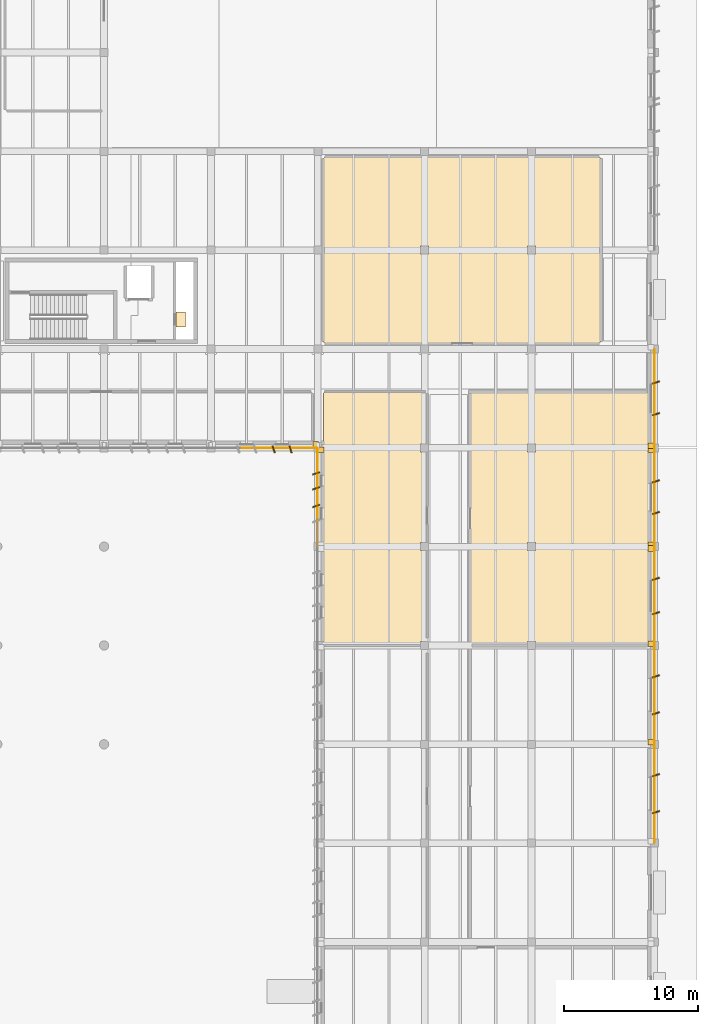
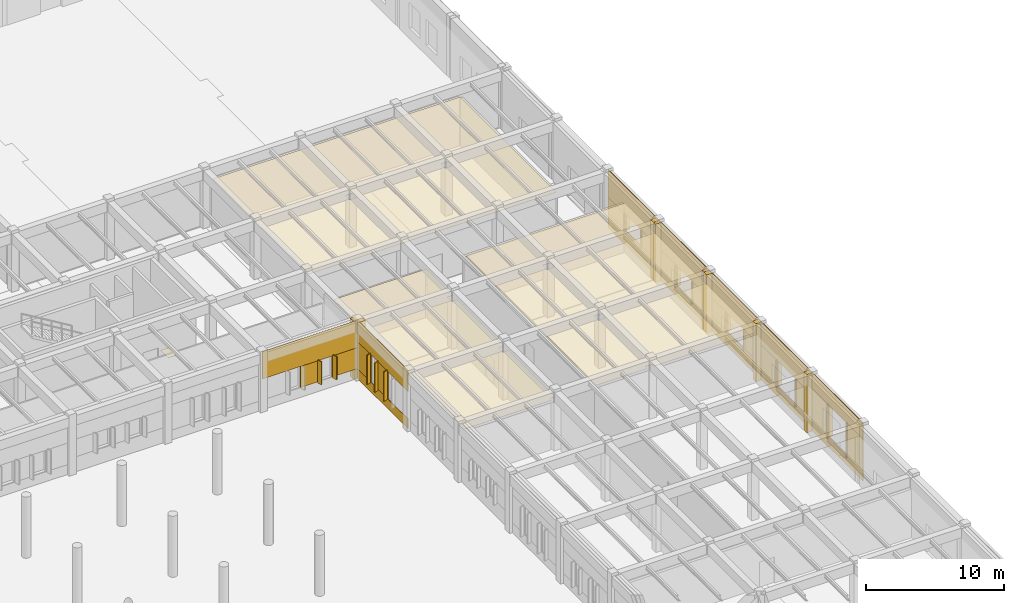
# One storey, part 54 of 56: 54 coverings.
"""IFC4 building model written with IfcOpenShell, lengths in metres."""

from ifc_helpers import new_model, si_unit, direction, frame, frame_2d, origin, origin_2d, place, context, subcontext, project, spatial, polyline, rectangle, outline, extrude, material, layer, layer_set, type_object, element, save


model = new_model("IFC4")

# Units and contexts
model_context = context("Model", 3, precision=1e-05, world=origin(), true_north=direction((0.0, 1.0)))
body_context = subcontext(model_context, "Body", "Model", "MODEL_VIEW")
ifc_project = project(units=[si_unit("LENGTHUNIT", "METRE"), si_unit("AREAUNIT", "SQUARE_METRE"), si_unit("VOLUMEUNIT", "CUBIC_METRE"), si_unit("PLANEANGLEUNIT", "RADIAN"), si_unit("MASSUNIT", "GRAM", prefix="KILO")], contexts=[model_context])

# Site, building, storey
site_placement = place(None, origin())
site = spatial("IfcSite", under=ifc_project, at=site_placement, CompositionType="ELEMENT")
building_placement = place(site_placement, origin())
building = spatial("IfcBuilding", under=site, at=building_placement, Name="Valkorina Park Police Headquarters", CompositionType="ELEMENT")
storey_placement = place(building_placement, origin())
storey = spatial("IfcBuildingStorey", under=building, at=storey_placement, Name="L01", CompositionType="ELEMENT", Elevation=0.0)

# Coverings
ifc_material_1 = material(Name="Acoustic mineral board")
ifc_layer_1 = layer(ifc_material_1, 0.02490234375)
ifc_layer_set_1 = layer_set([ifc_layer_1], Name="Acoustic mineral board")
covering_type_1 = type_object("IfcCoveringType", Name="COV-CEILING-ACOUST", PredefinedType="CEILING", material=ifc_layer_set_1)
covering_1_placement = place(storey_placement, frame((0.0, 0.0, 4.264892578125)))
element("IfcCovering", 1, at=covering_1_placement, inside=storey, type_object=covering_type_1, Name="Chain-of-Custody Evidence Intake Lab Acoustic Suspended Ceiling", PredefinedType="CEILING", context=body_context, shape_type="SweptSolid", body=[
    extrude(outline(polyline([(144.95849609375, 59.5244140625), (144.959716796875, 59.5322265625), (144.9599609375, 59.5400390625), (144.9599609375, 63.280029296875), (144.959716796875, 63.287841796875), (144.95849609375, 63.295654296875), (144.95654296875, 63.30322265625), (144.953857421875, 63.310546875), (144.95068359375, 63.317626953125), (144.946533203125, 63.324462890625), (144.94189453125, 63.330810546875), (144.9365234375, 63.336669921875), (144.930908203125, 63.341796875), (144.92431640625, 63.346435546875), (144.917724609375, 63.3505859375), (144.91064453125, 63.35400390625), (144.9033203125, 63.356689453125), (144.8955078125, 63.3583984375), (144.8876953125, 63.359619140625), (144.8798828125, 63.360107421875), (137.320068359375, 63.360107421875), (137.312255859375, 63.359619140625), (137.304443359375, 63.3583984375), (137.296875, 63.356689453125), (137.289306640625, 63.35400390625), (137.2822265625, 63.3505859375), (137.275634765625, 63.346435546875), (137.269287109375, 63.341796875), (137.263427734375, 63.336669921875), (137.25830078125, 63.330810546875), (137.25341796875, 63.324462890625), (137.24951171875, 63.317626953125), (137.24609375, 63.310546875), (137.243408203125, 63.30322265625), (137.241455078125, 63.295654296875), (137.240478515625, 63.287841796875), (137.239990234375, 63.280029296875), (137.239990234375, 44.52001953125), (137.240478515625, 44.51220703125), (137.241455078125, 44.50439453125), (137.243408203125, 44.496826171875), (137.24609375, 44.489501953125), (137.24951171875, 44.482421875), (137.25341796875, 44.4755859375), (137.25830078125, 44.46923828125), (137.263427734375, 44.46337890625), (137.269287109375, 44.458251953125), (137.275634765625, 44.45361328125), (137.2822265625, 44.449462890625), (137.289306640625, 44.446044921875), (137.296875, 44.443359375), (137.304443359375, 44.44140625), (137.312255859375, 44.4404296875), (137.320068359375, 44.43994140625), (144.4599609375, 44.43994140625), (144.4677734375, 44.4404296875), (144.4755859375, 44.44140625), (144.483154296875, 44.443359375), (144.490478515625, 44.446044921875), (144.497802734375, 44.449462890625), (144.5, 44.45068359375), (144.5, 44.699951171875), (144.94921875, 44.699951171875), (144.95068359375, 44.702392578125), (144.953857421875, 44.70947265625), (144.95654296875, 44.716796875), (144.95849609375, 44.724365234375), (144.959716796875, 44.732177734375), (144.9599609375, 44.739990234375), (144.9599609375, 51.4599609375), (144.959716796875, 51.4677734375), (144.95849609375, 51.4755859375), (144.95654296875, 51.483154296875), (144.953857421875, 51.490478515625), (144.95068359375, 51.497802734375), (144.94921875, 51.5), (144.5, 51.5), (144.5, 52.10009765625), (144.94921875, 52.10009765625), (144.95068359375, 52.102294921875), (144.953857421875, 52.109375), (144.95654296875, 52.11669921875), (144.95849609375, 52.12451171875), (144.959716796875, 52.132080078125), (144.9599609375, 52.139892578125), (144.9599609375, 58.860107421875), (144.959716796875, 58.867919921875), (144.95849609375, 58.87548828125), (144.95654296875, 58.88330078125), (144.953857421875, 58.890625), (144.95068359375, 58.897705078125), (144.94921875, 58.89990234375), (144.5, 58.89990234375), (144.5, 59.5), (144.94921875, 59.5), (144.95068359375, 59.502197265625), (144.953857421875, 59.509521484375), (144.95654296875, 59.516845703125), (144.95849609375, 59.5244140625)])), origin(), (0.0, 0.0, 1.0), 0.025146484375),
])
covering_2_placement = place(storey_placement, frame((0.0, 0.0, 4.280029296875)))
element("IfcCovering", 2, at=covering_2_placement, inside=storey, type_object=covering_type_1, Name="Refrigerated Biological Evidence Vault Acoustic Suspended Ceiling", PredefinedType="CEILING", context=body_context, shape_type="SweptSolid", body=[
    extrude(outline(polyline([(161.55859375, 44.50439453125), (161.5595703125, 44.51220703125), (161.56005859375, 44.52001953125), (161.56005859375, 63.280029296875), (161.5595703125, 63.287841796875), (161.55859375, 63.295654296875), (161.556640625, 63.30322265625), (161.553955078125, 63.310546875), (161.550537109375, 63.317626953125), (161.54638671875, 63.324462890625), (161.541748046875, 63.330810546875), (161.53662109375, 63.336669921875), (161.53076171875, 63.341796875), (161.5244140625, 63.346435546875), (161.517578125, 63.3505859375), (161.510498046875, 63.35400390625), (161.503173828125, 63.356689453125), (161.49560546875, 63.3583984375), (161.48779296875, 63.359619140625), (161.47998046875, 63.360107421875), (148.320068359375, 63.360107421875), (148.312255859375, 63.359619140625), (148.304443359375, 63.3583984375), (148.296875, 63.356689453125), (148.289306640625, 63.35400390625), (148.2822265625, 63.3505859375), (148.275634765625, 63.346435546875), (148.269287109375, 63.341796875), (148.263427734375, 63.336669921875), (148.25830078125, 63.330810546875), (148.25341796875, 63.324462890625), (148.24951171875, 63.317626953125), (148.24609375, 63.310546875), (148.243408203125, 63.30322265625), (148.241455078125, 63.295654296875), (148.240478515625, 63.287841796875), (148.239990234375, 63.280029296875), (148.239990234375, 44.52001953125), (148.240478515625, 44.51220703125), (148.241455078125, 44.50439453125), (148.243408203125, 44.496826171875), (148.24609375, 44.489501953125), (148.24951171875, 44.482421875), (148.25341796875, 44.4755859375), (148.25830078125, 44.46923828125), (148.263427734375, 44.46337890625), (148.269287109375, 44.458251953125), (148.275634765625, 44.45361328125), (148.2822265625, 44.449462890625), (148.289306640625, 44.446044921875), (148.296875, 44.443359375), (148.304443359375, 44.44140625), (148.312255859375, 44.4404296875), (148.320068359375, 44.43994140625), (152.4599609375, 44.43994140625), (152.4677734375, 44.4404296875), (152.4755859375, 44.44140625), (152.483154296875, 44.443359375), (152.490478515625, 44.446044921875), (152.497802734375, 44.449462890625), (152.5, 44.45068359375), (152.5, 44.699951171875), (153.10009765625, 44.699951171875), (153.10009765625, 44.45068359375), (153.102294921875, 44.449462890625), (153.109375, 44.446044921875), (153.11669921875, 44.443359375), (153.12451171875, 44.44140625), (153.132080078125, 44.4404296875), (153.139892578125, 44.43994140625), (161.47998046875, 44.43994140625), (161.48779296875, 44.4404296875), (161.49560546875, 44.44140625), (161.503173828125, 44.443359375), (161.510498046875, 44.446044921875), (161.517578125, 44.449462890625), (161.5244140625, 44.45361328125), (161.53076171875, 44.458251953125), (161.53662109375, 44.46337890625), (161.541748046875, 44.46923828125), (161.54638671875, 44.4755859375), (161.550537109375, 44.482421875), (161.553955078125, 44.489501953125), (161.556640625, 44.496826171875), (161.55859375, 44.50439453125)]), holes=[polyline([(153.10009765625, 51.5), (152.5, 51.5), (152.5, 52.10009765625), (153.10009765625, 52.10009765625), (153.10009765625, 51.5)]), polyline([(153.10009765625, 58.89990234375), (152.5, 58.89990234375), (152.5, 59.5), (153.10009765625, 59.5), (153.10009765625, 58.89990234375)])]), origin(), (0.0, 0.0, 1.0), 0.02490234375),
])
covering_3_placement = place(storey_placement, frame((0.0, 0.0, 4.264892578125)))
element("IfcCovering", 3, at=covering_3_placement, inside=storey, type_object=covering_type_1, Name="Vehicle Forensics Examination Bay Acoustic Suspended Ceiling", PredefinedType="CEILING", context=body_context, shape_type="SweptSolid", body=[
    extrude(outline(polyline([(157.95849609375, 67.1044921875), (157.959716796875, 67.1123046875), (157.9599609375, 67.1201171875), (157.9599609375, 80.8798828125), (157.959716796875, 80.8876953125), (157.95849609375, 80.8955078125), (157.95654296875, 80.9033203125), (157.953857421875, 80.91064453125), (157.95068359375, 80.917724609375), (157.946533203125, 80.92431640625), (157.94189453125, 80.930908203125), (157.9365234375, 80.9365234375), (157.930908203125, 80.94189453125), (157.92431640625, 80.946533203125), (157.917724609375, 80.95068359375), (157.91064453125, 80.953857421875), (157.9033203125, 80.95654296875), (157.8955078125, 80.95849609375), (157.8876953125, 80.959716796875), (157.8798828125, 80.9599609375), (137.320068359375, 80.9599609375), (137.312255859375, 80.959716796875), (137.304443359375, 80.95849609375), (137.296875, 80.95654296875), (137.289306640625, 80.953857421875), (137.2822265625, 80.95068359375), (137.275634765625, 80.946533203125), (137.269287109375, 80.94189453125), (137.263427734375, 80.9365234375), (137.25830078125, 80.930908203125), (137.25341796875, 80.92431640625), (137.24951171875, 80.917724609375), (137.24609375, 80.91064453125), (137.243408203125, 80.9033203125), (137.241455078125, 80.8955078125), (137.240478515625, 80.8876953125), (137.239990234375, 80.8798828125), (137.239990234375, 67.1201171875), (137.240478515625, 67.1123046875), (137.241455078125, 67.1044921875), (137.243408203125, 67.0966796875), (137.24609375, 67.08935546875), (137.24951171875, 67.082275390625), (137.25341796875, 67.07568359375), (137.25830078125, 67.069091796875), (137.263427734375, 67.0634765625), (137.269287109375, 67.05810546875), (137.275634765625, 67.053466796875), (137.2822265625, 67.04931640625), (137.289306640625, 67.046142578125), (137.296875, 67.04345703125), (137.304443359375, 67.04150390625), (137.312255859375, 67.040283203125), (137.320068359375, 67.0400390625), (157.8798828125, 67.0400390625), (157.8876953125, 67.040283203125), (157.8955078125, 67.04150390625), (157.9033203125, 67.04345703125), (157.91064453125, 67.046142578125), (157.917724609375, 67.04931640625), (157.92431640625, 67.053466796875), (157.930908203125, 67.05810546875), (157.9365234375, 67.0634765625), (157.94189453125, 67.069091796875), (157.946533203125, 67.07568359375), (157.95068359375, 67.082275390625), (157.953857421875, 67.08935546875), (157.95654296875, 67.0966796875), (157.95849609375, 67.1044921875)]), holes=[polyline([(153.10009765625, 73.699951171875), (152.5, 73.699951171875), (152.5, 74.300048828125), (153.10009765625, 74.300048828125), (153.10009765625, 73.699951171875)]), polyline([(145.10009765625, 73.699951171875), (144.5, 73.699951171875), (144.5, 74.300048828125), (145.10009765625, 74.300048828125), (145.10009765625, 73.699951171875)])]), origin(), (0.0, 0.0, 1.0), 0.025146484375),
])
ifc_material_2 = material(Name="Precast concrete C40/50", Category="concrete")
ifc_layer_2 = layer(ifc_material_2, 0.044921875)
ifc_layer_set_2 = layer_set([ifc_layer_2], Name="Precast concrete C40/50")
covering_type_2 = type_object("IfcCoveringType", Name="COV-CLAD-DOLOMITE", PredefinedType="CLADDING", material=ifc_layer_set_2)
covering_4_placement = place(storey_placement, frame((161.75, 59.340087890625, 0.0), z_axis=(0.0, 0.0, 1.0), x_axis=(0.0, 1.0, 0.0)))
element("IfcCovering", 4, at=covering_4_placement, inside=storey, type_object=covering_type_2, Name="L01 Exterior Joint Closure Pilaster B 0513", PredefinedType="CLADDING", context=body_context, shape_type="SweptSolid", body=[
    extrude(rectangle(XDim=0.419921875, YDim=0.449951171875, at=origin_2d()), origin(), (0.0, 0.0, 1.0), 5.155029296875),
])
for number, where, z_axis, x_axis, name in (
    (5, (162.1201171875, 64.0849609375, 1.22998046875), (0.0, 0.0, 1.0), (0.948323655206, 0.317304656405, 0.0), "Slanted 18.5-deg Precast Window Slot Fin 0514"),
    (6, (162.1201171875, 61.715087890625, 1.22998046875), (0.0, 0.0, 1.0), (0.948323655206, 0.317304656405, 0.0), "Slanted 18.5-deg Precast Window Slot Fin 0515"),
):
    element("IfcCovering", number, at=place(storey_placement, frame(where, z_axis=z_axis, x_axis=x_axis)), inside=storey, type_object=covering_type_2, Name=name, PredefinedType="CLADDING", context=body_context, shape_type="SweptSolid", body=[
        extrude(rectangle(XDim=0.5400390625, YDim=0.090087890625, at=origin_2d()), origin(), (0.0, 0.0, 1.0), 1.590087890625),
    ])
covering_5_placement = place(storey_placement, frame((162.014892578125, 66.580078125, 0.0), z_axis=(0.0, 0.0, 1.0), x_axis=(0.0, -1.0, 0.0)))
element("IfcCovering", 7, at=covering_5_placement, inside=storey, type_object=covering_type_2, Name="L01 Calm Concrete Base Sill Spandrel 0516", PredefinedType="CLADDING", context=body_context, shape_type="SweptSolid", body=[
    extrude(rectangle(XDim=7.360107421875, YDim=0.044921875, at=frame_2d((3.68017578125, 0.0))), origin(), (0.0, 0.0, 1.0), 1.320068359375),
])
covering_6_placement = place(storey_placement, frame((162.014892578125, 66.580078125, 2.72998046875), z_axis=(0.0, 0.0, 1.0), x_axis=(0.0, -1.0, 0.0)))
element("IfcCovering", 8, at=covering_6_placement, inside=storey, type_object=covering_type_2, Name="L01 Calm Concrete Base Lintel Spandrel 0517", PredefinedType="CLADDING", context=body_context, shape_type="SweptSolid", body=[
    extrude(rectangle(XDim=7.360107421875, YDim=0.044921875, at=frame_2d((3.68017578125, 0.0))), origin(), (0.0, 0.0, 1.0), 2.425048828125),
])
for number, where, z_axis, x_axis, name in (
    (9, (162.014892578125, 66.580078125, 1.320068359375), (0.0, 0.0, 1.0), (0.0, -1.0, 0.0), "L01 Calm Concrete Base Slot Pier 0518"),
    (10, (162.014892578125, 61.824951171875, 1.320068359375), (0.0, 0.0, 1.0), (0.0, -1.0, 0.0), "L01 Calm Concrete Base Slot Pier 0519"),
):
    element("IfcCovering", number, at=place(storey_placement, frame(where, z_axis=z_axis, x_axis=x_axis)), inside=storey, type_object=covering_type_2, Name=name, PredefinedType="CLADDING", context=body_context, shape_type="SweptSolid", body=[
        extrude(rectangle(XDim=2.60498046875, YDim=0.044921875, at=frame_2d((1.302490234375, 0.0))), origin(), (0.0, 0.0, 1.0), 1.409912109375),
    ])
for number, where, z_axis, x_axis, name in (
    (11, (161.75, 59.06005859375, 0.0), (0.0, 0.0, 1.0), (0.0, 1.0, 0.0), "L01 Exterior Joint Closure Pilaster A 0520"),
    (12, (161.75, 51.93994140625, 0.0), (0.0, 0.0, 1.0), (0.0, 1.0, 0.0), "L01 Exterior Joint Closure Pilaster B 0521"),
):
    element("IfcCovering", number, at=place(storey_placement, frame(where, z_axis=z_axis, x_axis=x_axis)), inside=storey, type_object=covering_type_2, Name=name, PredefinedType="CLADDING", context=body_context, shape_type="SweptSolid", body=[
        extrude(rectangle(XDim=0.419921875, YDim=0.449951171875, at=origin_2d()), origin(), (0.0, 0.0, 1.0), 5.155029296875),
    ])
for number, where, z_axis, x_axis, name in (
    (13, (162.1201171875, 56.68505859375, 0.77978515625), (0.0, 0.0, 1.0), (0.948323655206, 0.317304656405, 0.0), "Slanted 18.5-deg Precast Window Slot Fin 0522"),
    (14, (162.1201171875, 54.31494140625, 0.77978515625), (0.0, 0.0, 1.0), (0.948323655206, 0.317304656405, 0.0), "Slanted 18.5-deg Precast Window Slot Fin 0523"),
):
    element("IfcCovering", number, at=place(storey_placement, frame(where, z_axis=z_axis, x_axis=x_axis)), inside=storey, type_object=covering_type_2, Name=name, PredefinedType="CLADDING", context=body_context, shape_type="SweptSolid", body=[
        extrude(rectangle(XDim=0.5400390625, YDim=0.090087890625, at=origin_2d()), origin(), (0.0, 0.0, 1.0), 1.989990234375),
    ])
covering_7_placement = place(storey_placement, frame((162.014892578125, 59.179931640625, 0.0), z_axis=(0.0, 0.0, 1.0), x_axis=(0.0, -1.0, 0.0)))
element("IfcCovering", 15, at=covering_7_placement, inside=storey, type_object=covering_type_2, Name="L01 Calm Concrete Base Sill Spandrel 0524", PredefinedType="CLADDING", context=body_context, shape_type="SweptSolid", body=[
    extrude(rectangle(XDim=7.35986328125, YDim=0.044921875, at=frame_2d((3.679931640625, 0.0))), origin(), (0.0, 0.0, 1.0), 0.8701171875),
])
covering_8_placement = place(storey_placement, frame((162.014892578125, 59.179931640625, 2.679931640625), z_axis=(0.0, 0.0, 1.0), x_axis=(0.0, -1.0, 0.0)))
element("IfcCovering", 16, at=covering_8_placement, inside=storey, type_object=covering_type_2, Name="L01 Calm Concrete Base Lintel Spandrel 0525", PredefinedType="CLADDING", context=body_context, shape_type="SweptSolid", body=[
    extrude(rectangle(XDim=7.35986328125, YDim=0.044921875, at=frame_2d((3.679931640625, 0.0))), origin(), (0.0, 0.0, 1.0), 2.47509765625),
])
for number, where, z_axis, x_axis, name in (
    (17, (162.014892578125, 59.179931640625, 0.8701171875), (0.0, 0.0, 1.0), (0.0, -1.0, 0.0), "L01 Calm Concrete Base Slot Pier 0526"),
    (18, (162.014892578125, 54.425048828125, 0.8701171875), (0.0, 0.0, 1.0), (0.0, -1.0, 0.0), "L01 Calm Concrete Base Slot Pier 0527"),
):
    element("IfcCovering", number, at=place(storey_placement, frame(where, z_axis=z_axis, x_axis=x_axis)), inside=storey, type_object=covering_type_2, Name=name, PredefinedType="CLADDING", context=body_context, shape_type="SweptSolid", body=[
        extrude(rectangle(XDim=2.60498046875, YDim=0.044921875, at=frame_2d((1.302490234375, 0.0))), origin(), (0.0, 0.0, 1.0), 1.809814453125),
    ])
for number, where, z_axis, x_axis, name in (
    (19, (161.75, 51.659912109375, 0.0), (0.0, 0.0, 1.0), (0.0, 1.0, 0.0), "L01 Exterior Joint Closure Pilaster A 0528"),
    (20, (161.75, 44.5400390625, 0.0), (0.0, 0.0, 1.0), (0.0, 1.0, 0.0), "L01 Exterior Joint Closure Pilaster B 0529"),
):
    element("IfcCovering", number, at=place(storey_placement, frame(where, z_axis=z_axis, x_axis=x_axis)), inside=storey, type_object=covering_type_2, Name=name, PredefinedType="CLADDING", context=body_context, shape_type="SweptSolid", body=[
        extrude(rectangle(XDim=0.419921875, YDim=0.449951171875, at=origin_2d()), origin(), (0.0, 0.0, 1.0), 5.155029296875),
    ])
for number, where, z_axis, x_axis, name in (
    (21, (162.1201171875, 49.385009765625, 1.22998046875), (0.0, 0.0, 1.0), (0.948323655206, 0.317304656405, 0.0), "Slanted 18.5-deg Precast Window Slot Fin 0530"),
    (22, (162.1201171875, 46.81494140625, 1.22998046875), (0.0, 0.0, 1.0), (0.948323655206, 0.317304656405, 0.0), "Slanted 18.5-deg Precast Window Slot Fin 0531"),
):
    element("IfcCovering", number, at=place(storey_placement, frame(where, z_axis=z_axis, x_axis=x_axis)), inside=storey, type_object=covering_type_2, Name=name, PredefinedType="CLADDING", context=body_context, shape_type="SweptSolid", body=[
        extrude(rectangle(XDim=0.5400390625, YDim=0.090087890625, at=origin_2d()), origin(), (0.0, 0.0, 1.0), 1.7900390625),
    ])
covering_9_placement = place(storey_placement, frame((162.014892578125, 51.780029296875, 0.0), z_axis=(0.0, 0.0, 1.0), x_axis=(0.0, -1.0, 0.0)))
element("IfcCovering", 23, at=covering_9_placement, inside=storey, type_object=covering_type_2, Name="L01 Calm Concrete Base Sill Spandrel 0532", PredefinedType="CLADDING", context=body_context, shape_type="SweptSolid", body=[
    extrude(rectangle(XDim=7.360107421875, YDim=0.044921875, at=frame_2d((3.68017578125, 0.0))), origin(), (0.0, 0.0, 1.0), 1.320068359375),
])
covering_10_placement = place(storey_placement, frame((162.014892578125, 51.780029296875, 2.929931640625), z_axis=(0.0, 0.0, 1.0), x_axis=(0.0, -1.0, 0.0)))
element("IfcCovering", 24, at=covering_10_placement, inside=storey, type_object=covering_type_2, Name="L01 Calm Concrete Base Lintel Spandrel 0533", PredefinedType="CLADDING", context=body_context, shape_type="SweptSolid", body=[
    extrude(rectangle(XDim=7.360107421875, YDim=0.044921875, at=frame_2d((3.68017578125, 0.0))), origin(), (0.0, 0.0, 1.0), 2.22509765625),
])
for number, where, z_axis, x_axis, name in (
    (25, (162.014892578125, 51.780029296875, 1.320068359375), (0.0, 0.0, 1.0), (0.0, -1.0, 0.0), "L01 Calm Concrete Base Slot Pier 0534"),
    (26, (162.014892578125, 46.925048828125, 1.320068359375), (0.0, 0.0, 1.0), (0.0, -1.0, 0.0), "L01 Calm Concrete Base Slot Pier 0535"),
):
    element("IfcCovering", number, at=place(storey_placement, frame(where, z_axis=z_axis, x_axis=x_axis)), inside=storey, type_object=covering_type_2, Name=name, PredefinedType="CLADDING", context=body_context, shape_type="SweptSolid", body=[
        extrude(rectangle(XDim=2.505126953125, YDim=0.044921875, at=frame_2d((1.25244140625, 0.0))), origin(), (0.0, 0.0, 1.0), 1.60986328125),
    ])
covering_11_placement = place(storey_placement, frame((161.75, 37.139892578125, 0.0), z_axis=(0.0, 0.0, 1.0), x_axis=(0.0, 1.0, 0.0)))
element("IfcCovering", 27, at=covering_11_placement, inside=storey, type_object=covering_type_2, Name="L01 Exterior Joint Closure Pilaster B 0536", PredefinedType="CLADDING", context=body_context, shape_type="SweptSolid", body=[
    extrude(rectangle(XDim=0.419921875, YDim=0.449951171875, at=origin_2d()), origin(), (0.0, 0.0, 1.0), 5.155029296875),
])
for number, where, z_axis, x_axis, name in (
    (28, (162.1201171875, 42.0849609375, 0.780029296875), (0.0, 0.0, 1.0), (0.948323655206, 0.317304656405, 0.0), "Slanted 18.5-deg Precast Window Slot Fin 0537"),
    (29, (162.1201171875, 39.31494140625, 0.780029296875), (0.0, 0.0, 1.0), (0.948323655206, 0.317304656405, 0.0), "Slanted 18.5-deg Precast Window Slot Fin 0538"),
):
    element("IfcCovering", number, at=place(storey_placement, frame(where, z_axis=z_axis, x_axis=x_axis)), inside=storey, type_object=covering_type_2, Name=name, PredefinedType="CLADDING", context=body_context, shape_type="SweptSolid", body=[
        extrude(rectangle(XDim=0.5400390625, YDim=0.090087890625, at=origin_2d()), origin(), (0.0, 0.0, 1.0), 2.43994140625),
    ])
covering_12_placement = place(storey_placement, frame((162.014892578125, 44.3798828125, 0.0), z_axis=(0.0, 0.0, 1.0), x_axis=(0.0, -1.0, 0.0)))
element("IfcCovering", 30, at=covering_12_placement, inside=storey, type_object=covering_type_2, Name="L01 Calm Concrete Base Sill Spandrel 0539", PredefinedType="CLADDING", context=body_context, shape_type="SweptSolid", body=[
    extrude(rectangle(XDim=7.35986328125, YDim=0.044921875, at=frame_2d((3.679931640625, 0.0))), origin(), (0.0, 0.0, 1.0), 0.8701171875),
])
covering_13_placement = place(storey_placement, frame((162.014892578125, 44.3798828125, 3.1298828125), z_axis=(0.0, 0.0, 1.0), x_axis=(0.0, -1.0, 0.0)))
element("IfcCovering", 31, at=covering_13_placement, inside=storey, type_object=covering_type_2, Name="L01 Calm Concrete Base Lintel Spandrel 0540", PredefinedType="CLADDING", context=body_context, shape_type="SweptSolid", body=[
    extrude(rectangle(XDim=7.35986328125, YDim=0.044921875, at=frame_2d((3.679931640625, 0.0))), origin(), (0.0, 0.0, 1.0), 2.025146484375),
])
covering_14_placement = place(storey_placement, frame((162.014892578125, 44.3798828125, 0.8701171875), z_axis=(0.0, 0.0, 1.0), x_axis=(0.0, -1.0, 0.0)))
element("IfcCovering", 32, at=covering_14_placement, inside=storey, type_object=covering_type_2, Name="L01 Calm Concrete Base Slot Pier 0541", PredefinedType="CLADDING", context=body_context, shape_type="SweptSolid", body=[
    extrude(rectangle(XDim=2.40478515625, YDim=0.044921875, at=frame_2d((1.202392578125, 0.0))), origin(), (0.0, 0.0, 1.0), 2.259765625),
])
covering_15_placement = place(storey_placement, frame((162.014892578125, 39.425048828125, 0.8701171875), z_axis=(0.0, 0.0, 1.0), x_axis=(0.0, -1.0, 0.0)))
element("IfcCovering", 33, at=covering_15_placement, inside=storey, type_object=covering_type_2, Name="L01 Calm Concrete Base Slot Pier 0542", PredefinedType="CLADDING", context=body_context, shape_type="SweptSolid", body=[
    extrude(rectangle(XDim=2.405029296875, YDim=0.044921875, at=frame_2d((1.20263671875, 0.0))), origin(), (0.0, 0.0, 1.0), 2.259765625),
])
for number, where, z_axis, x_axis, name in (
    (34, (162.1201171875, 34.68505859375, 0.780029296875), (0.0, 0.0, 1.0), (0.948323655206, 0.317304656405, 0.0), "Slanted 18.5-deg Precast Window Slot Fin 0544"),
    (35, (162.1201171875, 31.9150390625, 0.780029296875), (0.0, 0.0, 1.0), (0.948323655206, 0.317304656405, 0.0), "Slanted 18.5-deg Precast Window Slot Fin 0545"),
):
    element("IfcCovering", number, at=place(storey_placement, frame(where, z_axis=z_axis, x_axis=x_axis)), inside=storey, type_object=covering_type_2, Name=name, PredefinedType="CLADDING", context=body_context, shape_type="SweptSolid", body=[
        extrude(rectangle(XDim=0.5400390625, YDim=0.090087890625, at=origin_2d()), origin(), (0.0, 0.0, 1.0), 3.0400390625),
    ])
covering_16_placement = place(storey_placement, frame((162.014892578125, 36.97998046875, 0.0), z_axis=(0.0, 0.0, 1.0), x_axis=(0.0, -1.0, 0.0)))
element("IfcCovering", 36, at=covering_16_placement, inside=storey, type_object=covering_type_2, Name="L01 Calm Concrete Base Sill Spandrel 0546", PredefinedType="CLADDING", context=body_context, shape_type="SweptSolid", body=[
    extrude(rectangle(XDim=7.35986328125, YDim=0.044921875, at=frame_2d((3.679931640625, 0.0))), origin(), (0.0, 0.0, 1.0), 0.8701171875),
])
covering_17_placement = place(storey_placement, frame((162.014892578125, 36.97998046875, 3.72998046875), z_axis=(0.0, 0.0, 1.0), x_axis=(0.0, -1.0, 0.0)))
element("IfcCovering", 37, at=covering_17_placement, inside=storey, type_object=covering_type_2, Name="L01 Calm Concrete Base Lintel Spandrel 0547", PredefinedType="CLADDING", context=body_context, shape_type="SweptSolid", body=[
    extrude(rectangle(XDim=7.35986328125, YDim=0.044921875, at=frame_2d((3.679931640625, 0.0))), origin(), (0.0, 0.0, 1.0), 1.425048828125),
])
covering_18_placement = place(storey_placement, frame((162.014892578125, 36.97998046875, 0.8701171875), z_axis=(0.0, 0.0, 1.0), x_axis=(0.0, -1.0, 0.0)))
element("IfcCovering", 38, at=covering_18_placement, inside=storey, type_object=covering_type_2, Name="L01 Calm Concrete Base Slot Pier 0548", PredefinedType="CLADDING", context=body_context, shape_type="SweptSolid", body=[
    extrude(rectangle(XDim=2.405029296875, YDim=0.044921875, at=frame_2d((1.20263671875, 0.0))), origin(), (0.0, 0.0, 1.0), 2.85986328125),
])
covering_19_placement = place(storey_placement, frame((162.014892578125, 32.02490234375, 0.8701171875), z_axis=(0.0, 0.0, 1.0), x_axis=(0.0, -1.0, 0.0)))
element("IfcCovering", 39, at=covering_19_placement, inside=storey, type_object=covering_type_2, Name="L01 Calm Concrete Base Slot Pier 0549", PredefinedType="CLADDING", context=body_context, shape_type="SweptSolid", body=[
    extrude(rectangle(XDim=2.40478515625, YDim=0.044921875, at=frame_2d((1.202392578125, 0.0))), origin(), (0.0, 0.0, 1.0), 2.85986328125),
])
covering_20_placement = place(storey_placement, frame((137.050048828125, 59.06005859375, 0.0), z_axis=(0.0, 0.0, 1.0), x_axis=(0.0, 1.0, 0.0)))
element("IfcCovering", 40, at=covering_20_placement, inside=storey, type_object=covering_type_2, Name="L01 Exterior Joint Closure Pilaster B 0659", PredefinedType="CLADDING", context=body_context, shape_type="SweptSolid", body=[
    extrude(rectangle(XDim=0.419921875, YDim=0.449951171875, at=origin_2d()), origin(), (0.0, 0.0, 1.0), 5.155029296875),
])
for number, where, z_axis, x_axis, name in (
    (41, (136.679931640625, 54.839599609375, 0.77978515625), (0.0, 0.0, 1.0), (-0.948323655206, -0.317304656405, 0.0), "Slanted 18.5-deg Precast Window Slot Fin 0661"),
    (42, (136.679931640625, 56.160400390625, 0.77978515625), (0.0, 0.0, 1.0), (-0.948323655206, -0.317304656405, 0.0), "Slanted 18.5-deg Precast Window Slot Fin 0662"),
    (43, (136.679931640625, 57.280517578125, 0.77978515625), (0.0, 0.0, 1.0), (-0.948323655206, -0.317304656405, 0.0), "Slanted 18.5-deg Precast Window Slot Fin 0663"),
):
    element("IfcCovering", number, at=place(storey_placement, frame(where, z_axis=z_axis, x_axis=x_axis)), inside=storey, type_object=covering_type_2, Name=name, PredefinedType="CLADDING", context=body_context, shape_type="SweptSolid", body=[
        extrude(rectangle(XDim=0.5400390625, YDim=0.090087890625, at=origin_2d()), origin(), (0.0, 0.0, 1.0), 2.590087890625),
    ])
covering_21_placement = place(storey_placement, frame((136.784912109375, 51.820068359375, 0.0), z_axis=(0.0, 0.0, 1.0), x_axis=(0.0, 1.0, 0.0)))
element("IfcCovering", 44, at=covering_21_placement, inside=storey, type_object=covering_type_2, Name="L01 Calm Concrete Base Sill Spandrel 0664", PredefinedType="CLADDING", context=body_context, shape_type="SweptSolid", body=[
    extrude(rectangle(XDim=7.35986328125, YDim=0.044921875, at=frame_2d((3.679931640625, 0.0))), origin(), (0.0, 0.0, 1.0), 0.8701171875),
])
covering_22_placement = place(storey_placement, frame((136.784912109375, 51.820068359375, 3.280029296875), z_axis=(0.0, 0.0, 1.0), x_axis=(0.0, 1.0, 0.0)))
element("IfcCovering", 45, at=covering_22_placement, inside=storey, type_object=covering_type_2, Name="L01 Calm Concrete Base Lintel Spandrel 0665", PredefinedType="CLADDING", context=body_context, shape_type="SweptSolid", body=[
    extrude(rectangle(XDim=7.35986328125, YDim=0.044921875, at=frame_2d((3.679931640625, 0.0))), origin(), (0.0, 0.0, 1.0), 1.875),
])
covering_23_placement = place(storey_placement, frame((136.784912109375, 54.7294921875, 0.8701171875), z_axis=(0.0, 0.0, 1.0), x_axis=(0.0, 1.0, 0.0)))
element("IfcCovering", 46, at=covering_23_placement, inside=storey, type_object=covering_type_2, Name="L01 Calm Concrete Base Slot Pier 0667", PredefinedType="CLADDING", context=body_context, shape_type="SweptSolid", body=[
    extrude(rectangle(XDim=1.541015625, YDim=0.044921875, at=frame_2d((0.7705078125, 0.0))), origin(), (0.0, 0.0, 1.0), 2.409912109375),
])
covering_24_placement = place(storey_placement, frame((136.784912109375, 57.17041015625, 0.8701171875), z_axis=(0.0, 0.0, 1.0), x_axis=(0.0, 1.0, 0.0)))
element("IfcCovering", 47, at=covering_24_placement, inside=storey, type_object=covering_type_2, Name="L01 Calm Concrete Base Slot Pier 0668", PredefinedType="CLADDING", context=body_context, shape_type="SweptSolid", body=[
    extrude(rectangle(XDim=2.009521484375, YDim=0.044921875, at=frame_2d((1.0048828125, 0.0))), origin(), (0.0, 0.0, 1.0), 2.409912109375),
])
covering_25_placement = place(storey_placement, frame((136.659912109375, 59.449951171875, 0.0), z_axis=(0.0, 0.0, 1.0), x_axis=(1.0, 0.0, 0.0)))
element("IfcCovering", 48, at=covering_25_placement, inside=storey, type_object=covering_type_2, Name="L01 Exterior Joint Closure Pilaster A 0669", PredefinedType="CLADDING", context=body_context, shape_type="SweptSolid", body=[
    extrude(rectangle(XDim=0.419921875, YDim=0.449951171875, at=origin_2d()), origin(), (0.0, 0.0, 1.0), 5.139892578125),
])
for number, where, z_axis, x_axis, name in (
    (49, (134.763427734375, 59.080078125, 0.780029296875), (0.0, 0.0, 1.0), (0.317304656405, -0.948323655206, 0.0), "Slanted 18.5-deg Precast Window Slot Fin 0671"),
    (50, (133.493408203125, 59.080078125, 0.780029296875), (0.0, 0.0, 1.0), (0.317304656405, -0.948323655206, 0.0), "Slanted 18.5-deg Precast Window Slot Fin 0672"),
):
    element("IfcCovering", number, at=place(storey_placement, frame(where, z_axis=z_axis, x_axis=x_axis)), inside=storey, type_object=covering_type_2, Name=name, PredefinedType="CLADDING", context=body_context, shape_type="SweptSolid", body=[
        extrude(rectangle(XDim=0.5400390625, YDim=0.090087890625, at=origin_2d()), origin(), (0.0, 0.0, 1.0), 2.0400390625),
    ])
covering_26_placement = place(storey_placement, frame((136.780029296875, 59.18505859375, 2.72998046875), z_axis=(0.0, 0.0, 1.0), x_axis=(-1.0, 0.0, 0.0)))
element("IfcCovering", 51, at=covering_26_placement, inside=storey, type_object=covering_type_2, Name="L01 Calm Concrete Base Lintel Spandrel 0676", PredefinedType="CLADDING", context=body_context, shape_type="SweptSolid", body=[
    extrude(rectangle(XDim=7.9599609375, YDim=0.044921875, at=frame_2d((3.97998046875, 0.0))), origin(), (0.0, 0.0, 1.0), 2.409912109375),
])
covering_27_placement = place(storey_placement, frame((136.780029296875, 59.18505859375, 0.8701171875), z_axis=(0.0, 0.0, 1.0), x_axis=(-1.0, 0.0, 0.0)))
element("IfcCovering", 52, at=covering_27_placement, inside=storey, type_object=covering_type_2, Name="L01 Calm Concrete Base Slot Pier 0677", PredefinedType="CLADDING", context=body_context, shape_type="SweptSolid", body=[
    extrude(rectangle(XDim=2.126708984375, YDim=0.044921875, at=frame_2d((1.0634765625, 0.0))), origin(), (0.0, 0.0, 1.0), 1.85986328125),
])
covering_28_placement = place(storey_placement, frame((133.603515625, 59.18505859375, 0.8701171875), z_axis=(0.0, 0.0, 1.0), x_axis=(-1.0, 0.0, 0.0)))
element("IfcCovering", 53, at=covering_28_placement, inside=storey, type_object=covering_type_2, Name="L01 Calm Concrete Base Slot Pier 0678", PredefinedType="CLADDING", context=body_context, shape_type="SweptSolid", body=[
    extrude(rectangle(XDim=1.60693359375, YDim=0.044921875, at=frame_2d((0.803466796875, 0.0))), origin(), (0.0, 0.0, 1.0), 1.85986328125),
])
ifc_material_3 = material(Name="Resin terrazzo flooring")
ifc_layer_3 = layer(ifc_material_3, 0.030029296875)
ifc_layer_set_3 = layer_set([ifc_layer_3], Name="Resin terrazzo flooring")
covering_type_3 = type_object("IfcCoveringType", Name="COV-FLOOR-TERRAZZO", PredefinedType="FLOORING", material=ifc_layer_set_3)
covering_29_placement = place(storey_placement, origin())
element("IfcCovering", 54, at=covering_29_placement, inside=storey, type_object=covering_type_3, Name="Core C5 L01 Riser Inspection Threshold Grate", PredefinedType="FLOORING", context=body_context, shape_type="SweptSolid", body=[
    extrude(outline(polyline([(126.8798828125, 68.25), (126.8798828125, 69.35009765625), (126.179931640625, 69.35009765625), (126.179931640625, 68.25), (126.8798828125, 68.25)])), origin(), (0.0, 0.0, 1.0), 0.030029296875),
])

save(model, "model.ifc")
